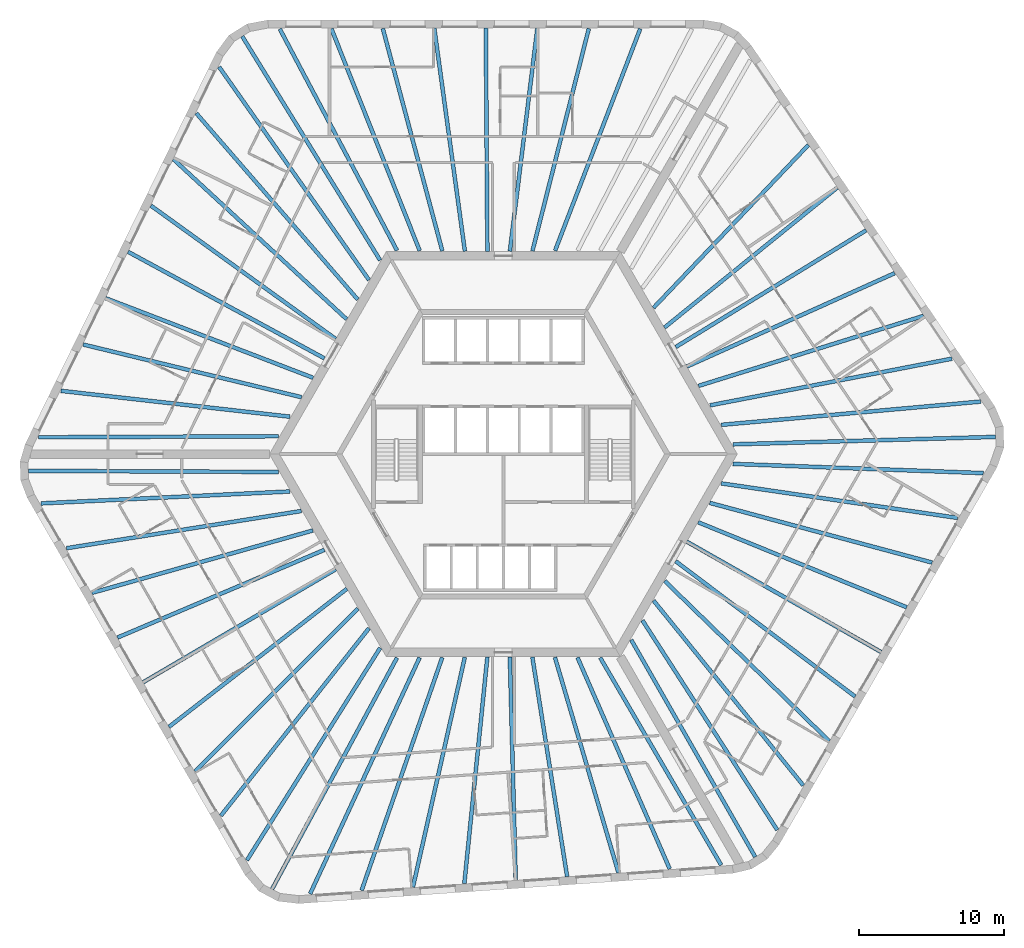
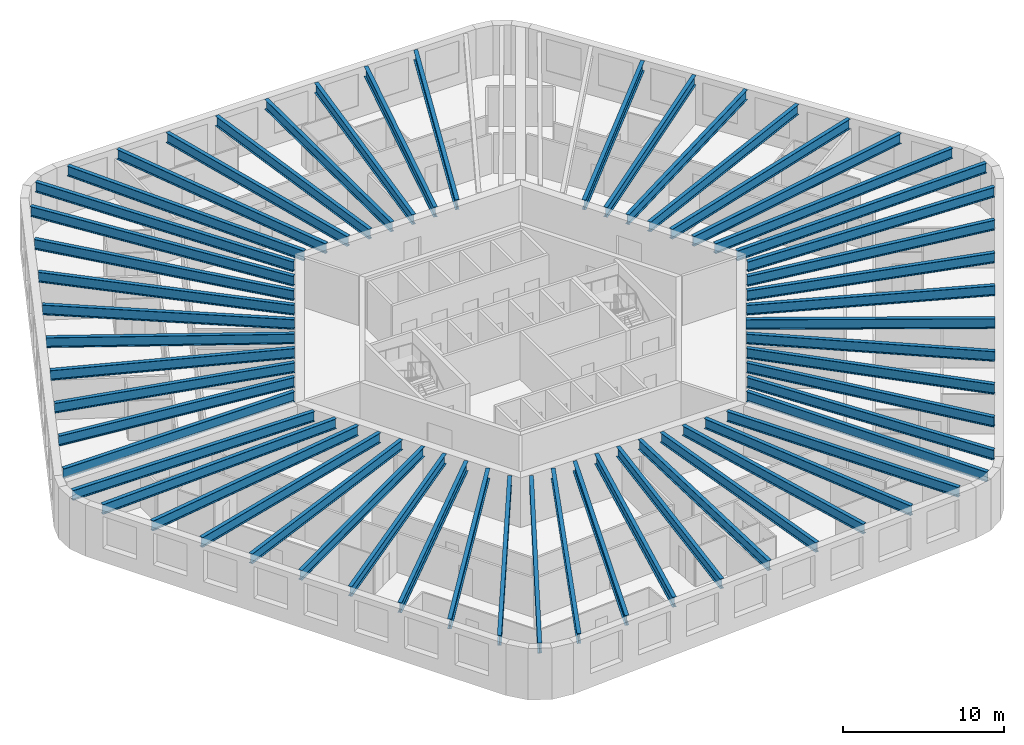
# One storey, part 1 of 12: 56 beams.
"""IFC4 building model written with IfcOpenShell, lengths in metres."""

from ifc_helpers import new_model, si_unit, direction, frame, origin, origin_2d, place, context, subcontext, project, spatial, i_section, extrude, material, material_profile, profile_set, type_object, element, save


model = new_model("IFC4")

# Units and contexts
model_context = context("Model", 3, precision=1e-05, world=origin(), true_north=direction((0.0, 1.0)))
body_context = subcontext(model_context, "Body", "Model", "MODEL_VIEW")
ifc_project = project(units=[si_unit("LENGTHUNIT", "METRE"), si_unit("AREAUNIT", "SQUARE_METRE"), si_unit("VOLUMEUNIT", "CUBIC_METRE"), si_unit("PLANEANGLEUNIT", "RADIAN"), si_unit("MASSUNIT", "GRAM", prefix="KILO")], contexts=[model_context])

# Site, building, storey
site_placement = place(None, origin())
site = spatial("IfcSite", under=ifc_project, at=site_placement, CompositionType="ELEMENT")
building_placement = place(site_placement, origin())
building = spatial("IfcBuilding", under=site, at=building_placement, Name="Tarnside Tower", CompositionType="ELEMENT")
storey_placement = place(building_placement, frame((0.0, 0.0, 64.800048828125)))
storey = spatial("IfcBuildingStorey", under=building, at=storey_placement, Name="L13", CompositionType="ELEMENT", Elevation=64.800048828125)

# Beams
ifc_material = material(Name="Steel S355", Category="steel")
ifc_material_profile_1 = material_profile(ifc_material, i_section(OverallWidth=0.26513671875, OverallDepth=0.75390625, WebThickness=0.0126953125, FlangeThickness=0.017578125, FilletRadius=0.0166015625, at=origin_2d()), Name="UB 762x267x147")
ifc_profile_set_1 = profile_set([ifc_material_profile_1], Name="Steel S355")
beam_type_1 = type_object("IfcBeamType", Name="Floor beam UB 762x267x147", PredefinedType="BEAM", material=ifc_profile_set_1)
beam_1_placement = place(storey_placement, frame((2.3525390625, 29.43017578125, 3.373046875), z_axis=(-0.122329629165, -0.992489527314, 0.0), x_axis=(0.992489527314, -0.122329629165, 0.0)))
element("IfcBeam", 1, at=beam_1_placement, inside=storey, type_object=beam_type_1, Name="Floor beam F1.04", PredefinedType="BEAM", context=body_context, shape_type="SweptSolid", body=[
    extrude(i_section(OverallWidth=0.26513671875, OverallDepth=0.75390625, WebThickness=0.0126953125, FlangeThickness=0.017578125, FilletRadius=0.0166015625, at=origin_2d()), origin(), (0.0, 0.0, 1.0), 15.527099609375),
])
beam_2_placement = place(storey_placement, frame((-1.208984375, 29.449951171875, 3.373046875), z_axis=(0.007000128723, -0.999975498799, 0.0), x_axis=(0.999975498799, 0.007000128723, 0.0)))
element("IfcBeam", 2, at=beam_2_placement, inside=storey, type_object=beam_type_1, Name="Floor beam F1.05", PredefinedType="BEAM", context=body_context, shape_type="SweptSolid", body=[
    extrude(i_section(OverallWidth=0.26513671875, OverallDepth=0.75390625, WebThickness=0.0126953125, FlangeThickness=0.017578125, FilletRadius=0.0166015625, at=origin_2d()), origin(), (0.0, 0.0, 1.0), 15.450439453125),
])
beam_3_placement = place(storey_placement, frame((-4.7705078125, 29.43017578125, 3.373046875), z_axis=(0.136000560933, -0.990708760144, 0.0), x_axis=(0.990708760144, 0.136000560933, 0.0)))
element("IfcBeam", 3, at=beam_3_placement, inside=storey, type_object=beam_type_1, Name="Floor beam F1.06", PredefinedType="BEAM", context=body_context, shape_type="SweptSolid", body=[
    extrude(i_section(OverallWidth=0.26513671875, OverallDepth=0.75390625, WebThickness=0.0126953125, FlangeThickness=0.017578125, FilletRadius=0.0166015625, at=origin_2d()), origin(), (0.0, 0.0, 1.0), 15.554931640625),
])
beam_4_placement = place(storey_placement, frame((-24.348876953125, 17.168212890625, 3.373046875), z_axis=(0.811027744825, -0.585007689799, 0.0), x_axis=(0.585007689799, 0.811027744825, 0.0)))
element("IfcBeam", 4, at=beam_4_placement, inside=storey, type_object=beam_type_1, Name="Floor beam F2.04", PredefinedType="BEAM", context=body_context, shape_type="SweptSolid", body=[
    extrude(i_section(OverallWidth=0.26513671875, OverallDepth=0.75390625, WebThickness=0.0126953125, FlangeThickness=0.017578125, FilletRadius=0.0166015625, at=origin_2d()), origin(), (0.0, 0.0, 1.0), 15.731689453125),
])
beam_5_placement = place(storey_placement, frame((-25.92626953125, 13.978271484375, 3.373046875), z_axis=(0.878894567679, -0.477016078245, 0.0), x_axis=(0.477016078245, 0.878894567679, 0.0)))
element("IfcBeam", 5, at=beam_5_placement, inside=storey, type_object=beam_type_1, Name="Floor beam F2.05", PredefinedType="BEAM", context=body_context, shape_type="SweptSolid", body=[
    extrude(i_section(OverallWidth=0.26513671875, OverallDepth=0.75390625, WebThickness=0.0126953125, FlangeThickness=0.017578125, FilletRadius=0.0166015625, at=origin_2d()), origin(), (0.0, 0.0, 1.0), 15.427490234375),
])
beam_6_placement = place(storey_placement, frame((-27.487548828125, 10.77734375, 3.373046875), z_axis=(0.933617702452, -0.358270827264, 0.0), x_axis=(0.358270827264, 0.933617702452, 0.0)))
element("IfcBeam", 6, at=beam_6_placement, inside=storey, type_object=beam_type_1, Name="Floor beam F2.06", PredefinedType="BEAM", context=body_context, shape_type="SweptSolid", body=[
    extrude(i_section(OverallWidth=0.26513671875, OverallDepth=0.75390625, WebThickness=0.0126953125, FlangeThickness=0.017578125, FilletRadius=0.0166015625, at=origin_2d()), origin(), (0.0, 0.0, 1.0), 15.363037109375),
])
beam_7_placement = place(storey_placement, frame((-29.029296875, 7.572509765625, 3.373046875), z_axis=(0.972101750991, -0.234559556873, 0.0), x_axis=(0.234559556873, 0.972101750991, 0.0)))
element("IfcBeam", 7, at=beam_7_placement, inside=storey, type_object=beam_type_1, Name="Floor beam F2.07", PredefinedType="BEAM", context=body_context, shape_type="SweptSolid", body=[
    extrude(i_section(OverallWidth=0.26513671875, OverallDepth=0.75390625, WebThickness=0.0126953125, FlangeThickness=0.017578125, FilletRadius=0.0166015625, at=origin_2d()), origin(), (0.0, 0.0, 1.0), 15.522216796875),
])
beam_8_placement = place(storey_placement, frame((-26.66357421875, -12.677734375, 3.373046875), z_axis=(0.920684021494, 0.390308765679, 0.0), x_axis=(-0.390308765679, 0.920684021494, 0.0)))
element("IfcBeam", 8, at=beam_8_placement, inside=storey, type_object=beam_type_1, Name="Floor beam F3.04", PredefinedType="BEAM", context=body_context, shape_type="SweptSolid", body=[
    extrude(i_section(OverallWidth=0.26513671875, OverallDepth=0.75390625, WebThickness=0.0126953125, FlangeThickness=0.017578125, FilletRadius=0.0166015625, at=origin_2d()), origin(), (0.0, 0.0, 1.0), 15.52685546875),
])
beam_9_placement = place(storey_placement, frame((-24.89990234375, -15.772216796875, 3.373046875), z_axis=(0.862497502004, 0.506061319443, 0.0), x_axis=(-0.506061319443, 0.862497502004, 0.0)))
element("IfcBeam", 9, at=beam_9_placement, inside=storey, type_object=beam_type_1, Name="Floor beam F3.05", PredefinedType="BEAM", context=body_context, shape_type="SweptSolid", body=[
    extrude(i_section(OverallWidth=0.26513671875, OverallDepth=0.75390625, WebThickness=0.0126953125, FlangeThickness=0.017578125, FilletRadius=0.0166015625, at=origin_2d()), origin(), (0.0, 0.0, 1.0), 15.450439453125),
])
beam_10_placement = place(storey_placement, frame((-23.10205078125, -18.846435546875, 3.373046875), z_axis=(0.789983963813, 0.613127504617, 0.0), x_axis=(-0.613127504617, 0.789983963813, 0.0)))
element("IfcBeam", 10, at=beam_10_placement, inside=storey, type_object=beam_type_1, Name="Floor beam F3.06", PredefinedType="BEAM", context=body_context, shape_type="SweptSolid", body=[
    extrude(i_section(OverallWidth=0.26513671875, OverallDepth=0.75390625, WebThickness=0.0126953125, FlangeThickness=0.017578125, FilletRadius=0.0166015625, at=origin_2d()), origin(), (0.0, 0.0, 1.0), 15.554931640625),
])
beam_11_placement = place(storey_placement, frame((-2.693603515625, -29.6708984375, 3.373046875), z_axis=(0.101123115756, 0.994873919379, 0.0), x_axis=(-0.994873919379, 0.101123115756, 0.0)))
element("IfcBeam", 11, at=beam_11_placement, inside=storey, type_object=beam_type_1, Name="Floor beam F4.04", PredefinedType="BEAM", context=body_context, shape_type="SweptSolid", body=[
    extrude(i_section(OverallWidth=0.26513671875, OverallDepth=0.75390625, WebThickness=0.0126953125, FlangeThickness=0.017578125, FilletRadius=0.0166015625, at=origin_2d()), origin(), (0.0, 0.0, 1.0), 15.7314453125),
])
beam_12_placement = place(storey_placement, frame((0.857666015625, -29.44189453125, 3.373046875), z_axis=(-0.026333316788, 0.999653218085, 0.0), x_axis=(-0.999653218085, -0.026333316788, 0.0)))
element("IfcBeam", 12, at=beam_12_placement, inside=storey, type_object=beam_type_1, Name="Floor beam F4.05", PredefinedType="BEAM", context=body_context, shape_type="SweptSolid", body=[
    extrude(i_section(OverallWidth=0.26513671875, OverallDepth=0.75390625, WebThickness=0.0126953125, FlangeThickness=0.017578125, FilletRadius=0.0166015625, at=origin_2d()), origin(), (0.0, 0.0, 1.0), 15.42724609375),
])
beam_13_placement = place(storey_placement, frame((4.41015625, -29.193603515625, 3.373046875), z_axis=(-0.156513375907, 0.98767583911, 0.0), x_axis=(-0.98767583911, -0.156513375907, 0.0)))
element("IfcBeam", 13, at=beam_13_placement, inside=storey, type_object=beam_type_1, Name="Floor beam F4.06", PredefinedType="BEAM", context=body_context, shape_type="SweptSolid", body=[
    extrude(i_section(OverallWidth=0.26513671875, OverallDepth=0.75390625, WebThickness=0.0126953125, FlangeThickness=0.017578125, FilletRadius=0.0166015625, at=origin_2d()), origin(), (0.0, 0.0, 1.0), 15.36328125),
])
beam_14_placement = place(storey_placement, frame((7.956787109375, -28.926513671875, 3.373046875), z_axis=(-0.282920694328, 0.959143305623, 0.0), x_axis=(-0.959143305623, -0.282920694328, 0.0)))
element("IfcBeam", 14, at=beam_14_placement, inside=storey, type_object=beam_type_1, Name="Floor beam F4.07", PredefinedType="BEAM", context=body_context, shape_type="SweptSolid", body=[
    extrude(i_section(OverallWidth=0.26513671875, OverallDepth=0.75390625, WebThickness=0.0126953125, FlangeThickness=0.017578125, FilletRadius=0.0166015625, at=origin_2d()), origin(), (0.0, 0.0, 1.0), 15.5224609375),
])
beam_15_placement = place(storey_placement, frame((24.31103515625, -16.75244140625, 3.373046875), z_axis=(-0.798361152727, 0.602178935049, 0.0), x_axis=(-0.602178935049, -0.798361152727, 0.0)))
element("IfcBeam", 15, at=beam_15_placement, inside=storey, type_object=beam_type_1, Name="Floor beam F5.04", PredefinedType="BEAM", context=body_context, shape_type="SweptSolid", body=[
    extrude(i_section(OverallWidth=0.26513671875, OverallDepth=0.75390625, WebThickness=0.0126953125, FlangeThickness=0.017578125, FilletRadius=0.0166015625, at=origin_2d()), origin(), (0.0, 0.0, 1.0), 15.527099609375),
])
beam_16_placement = place(storey_placement, frame((26.10888671875, -13.677978515625, 3.373046875), z_axis=(-0.869502520992, 0.493928502911, 0.0), x_axis=(-0.493928502911, -0.869502520992, 0.0)))
element("IfcBeam", 16, at=beam_16_placement, inside=storey, type_object=beam_type_1, Name="Floor beam F5.05", PredefinedType="BEAM", context=body_context, shape_type="SweptSolid", body=[
    extrude(i_section(OverallWidth=0.26513671875, OverallDepth=0.75390625, WebThickness=0.0126953125, FlangeThickness=0.017578125, FilletRadius=0.0166015625, at=origin_2d()), origin(), (0.0, 0.0, 1.0), 15.4501953125),
])
beam_17_placement = place(storey_placement, frame((27.87255859375, -10.58349609375, 3.373046875), z_axis=(-0.925981621163, 0.377568586177, 0.0), x_axis=(-0.377568586177, -0.925981621163, 0.0)))
element("IfcBeam", 17, at=beam_17_placement, inside=storey, type_object=beam_type_1, Name="Floor beam F5.06", PredefinedType="BEAM", context=body_context, shape_type="SweptSolid", body=[
    extrude(i_section(OverallWidth=0.26513671875, OverallDepth=0.75390625, WebThickness=0.0126953125, FlangeThickness=0.017578125, FilletRadius=0.0166015625, at=origin_2d()), origin(), (0.0, 0.0, 1.0), 15.554931640625),
])
beam_18_placement = place(storey_placement, frame((27.04248046875, 12.502685546875, 3.373046875), z_axis=(-0.912146413919, -0.409864513681, 0.0), x_axis=(0.409864513681, -0.912146413919, 0.0)))
element("IfcBeam", 18, at=beam_18_placement, inside=storey, type_object=beam_type_1, Name="Floor beam F6.04", PredefinedType="BEAM", context=body_context, shape_type="SweptSolid", body=[
    extrude(i_section(OverallWidth=0.26513671875, OverallDepth=0.75390625, WebThickness=0.0126953125, FlangeThickness=0.017578125, FilletRadius=0.0166015625, at=origin_2d()), origin(), (0.0, 0.0, 1.0), 15.7314453125),
])
beam_19_placement = place(storey_placement, frame((25.068603515625, 15.463623046875, 3.373046875), z_axis=(-0.852558490017, -0.522631821744, 0.0), x_axis=(0.522631821744, -0.852558490017, 0.0)))
element("IfcBeam", 19, at=beam_19_placement, inside=storey, type_object=beam_type_1, Name="Floor beam F6.05", PredefinedType="BEAM", context=body_context, shape_type="SweptSolid", body=[
    extrude(i_section(OverallWidth=0.26513671875, OverallDepth=0.75390625, WebThickness=0.0126953125, FlangeThickness=0.017578125, FilletRadius=0.0166015625, at=origin_2d()), origin(), (0.0, 0.0, 1.0), 15.42724609375),
])
beam_20_placement = place(storey_placement, frame((23.0771484375, 18.416259765625, 3.373046875), z_axis=(-0.777079423039, -0.629402550272, 0.0), x_axis=(0.629402550272, -0.777079423039, 0.0)))
element("IfcBeam", 20, at=beam_20_placement, inside=storey, type_object=beam_type_1, Name="Floor beam F6.06", PredefinedType="BEAM", context=body_context, shape_type="SweptSolid", body=[
    extrude(i_section(OverallWidth=0.26513671875, OverallDepth=0.75390625, WebThickness=0.0126953125, FlangeThickness=0.017578125, FilletRadius=0.0166015625, at=origin_2d()), origin(), (0.0, 0.0, 1.0), 15.36328125),
])
beam_21_placement = place(storey_placement, frame((21.072509765625, 21.35400390625, 3.373046875), z_axis=(-0.689174694318, -0.724595225427, 0.0), x_axis=(0.724595225427, -0.689174694318, 0.0)))
element("IfcBeam", 21, at=beam_21_placement, inside=storey, type_object=beam_type_1, Name="Floor beam F6.07", PredefinedType="BEAM", context=body_context, shape_type="SweptSolid", body=[
    extrude(i_section(OverallWidth=0.26513671875, OverallDepth=0.75390625, WebThickness=0.0126953125, FlangeThickness=0.017578125, FilletRadius=0.0166015625, at=origin_2d()), origin(), (0.0, 0.0, 1.0), 15.522216796875),
])
ifc_material_profile_2 = material_profile(ifc_material, i_section(OverallWidth=0.2666015625, OverallDepth=0.76220703125, WebThickness=0.014404296875, FlangeThickness=0.021484375, FilletRadius=0.0166015625, at=origin_2d()), Name="UB 762x267x173")
ifc_profile_set_2 = profile_set([ifc_material_profile_2], Name="Steel S355")
beam_type_2 = type_object("IfcBeamType", Name="Floor beam UB 762x267x173", PredefinedType="BEAM", material=ifc_profile_set_2)
beam_22_placement = place(storey_placement, frame((9.4619140625, 29.39404296875, 3.368896484375), z_axis=(-0.358299847269, -0.933606565662, 0.0), x_axis=(0.933606565662, -0.358299847269, 0.0)))
element("IfcBeam", 22, at=beam_22_placement, inside=storey, type_object=beam_type_2, Name="Floor beam F1.02", PredefinedType="BEAM", context=body_context, shape_type="SweptSolid", body=[
    extrude(i_section(OverallWidth=0.2666015625, OverallDepth=0.76220703125, WebThickness=0.014404296875, FlangeThickness=0.021484375, FilletRadius=0.0166015625, at=origin_2d()), origin(), (0.0, 0.0, 1.0), 16.428955078125),
])
beam_23_placement = place(storey_placement, frame((5.909423828125, 29.4111328125, 3.368896484375), z_axis=(-0.245747281389, -0.969333933013, 0.0), x_axis=(0.969333933013, -0.245747281389, 0.0)))
element("IfcBeam", 23, at=beam_23_placement, inside=storey, type_object=beam_type_2, Name="Floor beam F1.03", PredefinedType="BEAM", context=body_context, shape_type="SweptSolid", body=[
    extrude(i_section(OverallWidth=0.2666015625, OverallDepth=0.76220703125, WebThickness=0.014404296875, FlangeThickness=0.021484375, FilletRadius=0.0166015625, at=origin_2d()), origin(), (0.0, 0.0, 1.0), 15.858642578125),
])
beam_24_placement = place(storey_placement, frame((-8.3271484375, 29.411376953125, 3.368896484375), z_axis=(0.258447478572, -0.966025310652, 0.0), x_axis=(0.966025310652, 0.258447478572, 0.0)))
element("IfcBeam", 24, at=beam_24_placement, inside=storey, type_object=beam_type_2, Name="Floor beam F1.07", PredefinedType="BEAM", context=body_context, shape_type="SweptSolid", body=[
    extrude(i_section(OverallWidth=0.2666015625, OverallDepth=0.76220703125, WebThickness=0.014404296875, FlangeThickness=0.021484375, FilletRadius=0.0166015625, at=origin_2d()), origin(), (0.0, 0.0, 1.0), 15.91357421875),
])
beam_25_placement = place(storey_placement, frame((-11.87939453125, 29.394287109375, 3.368896484375), z_axis=(0.369638204477, -0.929175762593, 0.0), x_axis=(0.929175762593, 0.369638204477, 0.0)))
element("IfcBeam", 25, at=beam_25_placement, inside=storey, type_object=beam_type_2, Name="Floor beam F1.08", PredefinedType="BEAM", context=body_context, shape_type="SweptSolid", body=[
    extrude(i_section(OverallWidth=0.2666015625, OverallDepth=0.76220703125, WebThickness=0.014404296875, FlangeThickness=0.021484375, FilletRadius=0.0166015625, at=origin_2d()), origin(), (0.0, 0.0, 1.0), 16.507568359375),
])
beam_26_placement = place(storey_placement, frame((-15.44580078125, 29.37939453125, 3.368896484375), z_axis=(0.467741993634, -0.883865050441, 0.0), x_axis=(0.883865050441, 0.467741993634, 0.0)))
element("IfcBeam", 26, at=beam_26_placement, inside=storey, type_object=beam_type_2, Name="Floor beam F1.09", PredefinedType="BEAM", context=body_context, shape_type="SweptSolid", body=[
    extrude(i_section(OverallWidth=0.2666015625, OverallDepth=0.76220703125, WebThickness=0.014404296875, FlangeThickness=0.021484375, FilletRadius=0.0166015625, at=origin_2d()), origin(), (0.0, 0.0, 1.0), 17.320068359375),
])
beam_27_placement = place(storey_placement, frame((-18.042236328125, 28.8701171875, 3.368896484375), z_axis=(0.524382977035, -0.851482526771, 0.0), x_axis=(0.851482526771, 0.524382977035, 0.0)))
element("IfcBeam", 27, at=beam_27_placement, inside=storey, type_object=beam_type_2, Name="Floor beam C1", PredefinedType="BEAM", context=body_context, shape_type="SweptSolid", body=[
    extrude(i_section(OverallWidth=0.2666015625, OverallDepth=0.76220703125, WebThickness=0.014404296875, FlangeThickness=0.021484375, FilletRadius=0.0166015625, at=origin_2d()), origin(), (0.0, 0.0, 1.0), 18.1728515625),
])
beam_28_placement = place(storey_placement, frame((-19.638671875, 26.75537109375, 3.368896484375), z_axis=(0.575411427849, -0.817864101609, 0.0), x_axis=(0.817864101609, 0.575411427849, 0.0)))
element("IfcBeam", 28, at=beam_28_placement, inside=storey, type_object=beam_type_2, Name="Floor beam F2.01", PredefinedType="BEAM", context=body_context, shape_type="SweptSolid", body=[
    extrude(i_section(OverallWidth=0.2666015625, OverallDepth=0.76220703125, WebThickness=0.014404296875, FlangeThickness=0.021484375, FilletRadius=0.0166015625, at=origin_2d()), origin(), (0.0, 0.0, 1.0), 18.00048828125),
])
beam_29_placement = place(storey_placement, frame((-21.21630859375, 23.554931640625, 3.368896484375), z_axis=(0.654980748073, -0.755645564834, 0.0), x_axis=(0.755645564834, 0.654980748073, 0.0)))
element("IfcBeam", 29, at=beam_29_placement, inside=storey, type_object=beam_type_2, Name="Floor beam F2.02", PredefinedType="BEAM", context=body_context, shape_type="SweptSolid", body=[
    extrude(i_section(OverallWidth=0.2666015625, OverallDepth=0.76220703125, WebThickness=0.014404296875, FlangeThickness=0.021484375, FilletRadius=0.0166015625, at=origin_2d()), origin(), (0.0, 0.0, 1.0), 17.0302734375),
])
beam_30_placement = place(storey_placement, frame((-22.7890625, 20.368408203125, 3.368896484375), z_axis=(0.734715474517, -0.678375391288, 0.0), x_axis=(0.678375391288, 0.734715474517, 0.0)))
element("IfcBeam", 30, at=beam_30_placement, inside=storey, type_object=beam_type_2, Name="Floor beam F2.03", PredefinedType="BEAM", context=body_context, shape_type="SweptSolid", body=[
    extrude(i_section(OverallWidth=0.2666015625, OverallDepth=0.76220703125, WebThickness=0.014404296875, FlangeThickness=0.021484375, FilletRadius=0.0166015625, at=origin_2d()), origin(), (0.0, 0.0, 1.0), 16.2802734375),
])
beam_31_placement = place(storey_placement, frame((-30.570556640625, 4.372802734375, 3.368896484375), z_axis=(0.993687302776, -0.112185312326, 0.0), x_axis=(0.112185312326, 0.993687302776, 0.0)))
element("IfcBeam", 31, at=beam_31_placement, inside=storey, type_object=beam_type_2, Name="Floor beam F2.08", PredefinedType="BEAM", context=body_context, shape_type="SweptSolid", body=[
    extrude(i_section(OverallWidth=0.2666015625, OverallDepth=0.76220703125, WebThickness=0.014404296875, FlangeThickness=0.021484375, FilletRadius=0.0166015625, at=origin_2d()), origin(), (0.0, 0.0, 1.0), 15.934326171875),
])
beam_32_placement = place(storey_placement, frame((-32.119384765625, 1.162109375, 3.368896484375), z_axis=(0.999990508787, 0.004356872304, 0.0), x_axis=(-0.004356872304, 0.999990508787, 0.0)))
element("IfcBeam", 32, at=beam_32_placement, inside=storey, type_object=beam_type_2, Name="Floor beam F2.09", PredefinedType="BEAM", context=body_context, shape_type="SweptSolid", body=[
    extrude(i_section(OverallWidth=0.2666015625, OverallDepth=0.76220703125, WebThickness=0.014404296875, FlangeThickness=0.021484375, FilletRadius=0.0166015625, at=origin_2d()), origin(), (0.0, 0.0, 1.0), 16.586669921875),
])
beam_33_placement = place(storey_placement, frame((-32.80712890625, -1.1572265625, 3.368896484375), z_axis=(0.999990027056, -0.004466070929, 0.0), x_axis=(0.004466070929, 0.999990027056, 0.0)))
element("IfcBeam", 33, at=beam_33_placement, inside=storey, type_object=beam_type_2, Name="Floor beam C2", PredefinedType="BEAM", context=body_context, shape_type="SweptSolid", body=[
    extrude(i_section(OverallWidth=0.2666015625, OverallDepth=0.76220703125, WebThickness=0.014404296875, FlangeThickness=0.021484375, FilletRadius=0.0166015625, at=origin_2d()), origin(), (0.0, 0.0, 1.0), 17.2744140625),
])
beam_34_placement = place(storey_placement, frame((-31.95703125, -3.406494140625, 3.368896484375), z_axis=(0.998853818522, 0.047864905982, 0.0), x_axis=(-0.047864905982, 0.998853818522, 0.0)))
element("IfcBeam", 34, at=beam_34_placement, inside=storey, type_object=beam_type_2, Name="Floor beam F3.01", PredefinedType="BEAM", context=body_context, shape_type="SweptSolid", body=[
    extrude(i_section(OverallWidth=0.2666015625, OverallDepth=0.76220703125, WebThickness=0.014404296875, FlangeThickness=0.021484375, FilletRadius=0.0166015625, at=origin_2d()), origin(), (0.0, 0.0, 1.0), 17.2197265625),
])
beam_35_placement = place(storey_placement, frame((-30.18701171875, -6.502685546875, 3.368896484375), z_axis=(0.987678477078, 0.156496728136, 0.0), x_axis=(-0.156496728136, 0.987678477078, 0.0)))
element("IfcBeam", 35, at=beam_35_placement, inside=storey, type_object=beam_type_2, Name="Floor beam F3.02", PredefinedType="BEAM", context=body_context, shape_type="SweptSolid", body=[
    extrude(i_section(OverallWidth=0.2666015625, OverallDepth=0.76220703125, WebThickness=0.014404296875, FlangeThickness=0.021484375, FilletRadius=0.0166015625, at=origin_2d()), origin(), (0.0, 0.0, 1.0), 16.4287109375),
])
beam_36_placement = place(storey_placement, frame((-28.425537109375, -9.587890625, 3.368896484375), z_axis=(0.962342240503, 0.271840784547, 0.0), x_axis=(-0.271840784547, 0.962342240503, 0.0)))
element("IfcBeam", 36, at=beam_36_placement, inside=storey, type_object=beam_type_2, Name="Floor beam F3.03", PredefinedType="BEAM", context=body_context, shape_type="SweptSolid", body=[
    extrude(i_section(OverallWidth=0.2666015625, OverallDepth=0.76220703125, WebThickness=0.014404296875, FlangeThickness=0.021484375, FilletRadius=0.0166015625, at=origin_2d()), origin(), (0.0, 0.0, 1.0), 15.858642578125),
])
beam_37_placement = place(storey_placement, frame((-21.307373046875, -21.917236328125, 3.368896484375), z_axis=(0.707367544857, 0.706845921318, 0.0), x_axis=(-0.706845921318, 0.707367544857, 0.0)))
element("IfcBeam", 37, at=beam_37_placement, inside=storey, type_object=beam_type_2, Name="Floor beam F3.07", PredefinedType="BEAM", context=body_context, shape_type="SweptSolid", body=[
    extrude(i_section(OverallWidth=0.2666015625, OverallDepth=0.76220703125, WebThickness=0.014404296875, FlangeThickness=0.021484375, FilletRadius=0.0166015625, at=origin_2d()), origin(), (0.0, 0.0, 1.0), 15.913330078125),
])
beam_38_placement = place(storey_placement, frame((-19.516357421875, -24.985107421875, 3.368896484375), z_axis=(0.619872995007, 0.784702153725, 0.0), x_axis=(-0.784702153725, 0.619872995007, 0.0)))
element("IfcBeam", 38, at=beam_38_placement, inside=storey, type_object=beam_type_2, Name="Floor beam F3.08", PredefinedType="BEAM", context=body_context, shape_type="SweptSolid", body=[
    extrude(i_section(OverallWidth=0.2666015625, OverallDepth=0.76220703125, WebThickness=0.014404296875, FlangeThickness=0.021484375, FilletRadius=0.0166015625, at=origin_2d()), origin(), (0.0, 0.0, 1.0), 16.507568359375),
])
beam_39_placement = place(storey_placement, frame((-17.72021484375, -28.066162109375, 3.368896484375), z_axis=(0.531583085704, 0.847006152866, 0.0), x_axis=(-0.847006152866, 0.531583085704, 0.0)))
element("IfcBeam", 39, at=beam_39_placement, inside=storey, type_object=beam_type_2, Name="Floor beam F3.09", PredefinedType="BEAM", context=body_context, shape_type="SweptSolid", body=[
    extrude(i_section(OverallWidth=0.2666015625, OverallDepth=0.76220703125, WebThickness=0.014404296875, FlangeThickness=0.021484375, FilletRadius=0.0166015625, at=origin_2d()), origin(), (0.0, 0.0, 1.0), 17.320068359375),
])
beam_40_placement = place(storey_placement, frame((-15.981201171875, -30.060302734375, 3.368896484375), z_axis=(0.475208200571, 0.879873380726, 0.0), x_axis=(-0.879873380726, 0.475208200571, 0.0)))
element("IfcBeam", 40, at=beam_40_placement, inside=storey, type_object=beam_type_2, Name="Floor beam C3", PredefinedType="BEAM", context=body_context, shape_type="SweptSolid", body=[
    extrude(i_section(OverallWidth=0.2666015625, OverallDepth=0.76220703125, WebThickness=0.014404296875, FlangeThickness=0.021484375, FilletRadius=0.0166015625, at=origin_2d()), origin(), (0.0, 0.0, 1.0), 18.173095703125),
])
beam_41_placement = place(storey_placement, frame((-13.3515625, -30.38525390625, 3.368896484375), z_axis=(0.42059199668, 0.907249895193, 0.0), x_axis=(-0.907249895193, 0.42059199668, 0.0)))
element("IfcBeam", 41, at=beam_41_placement, inside=storey, type_object=beam_type_2, Name="Floor beam F4.01", PredefinedType="BEAM", context=body_context, shape_type="SweptSolid", body=[
    extrude(i_section(OverallWidth=0.2666015625, OverallDepth=0.76220703125, WebThickness=0.014404296875, FlangeThickness=0.021484375, FilletRadius=0.0166015625, at=origin_2d()), origin(), (0.0, 0.0, 1.0), 18.000244140625),
])
beam_42_placement = place(storey_placement, frame((-9.791015625, -30.151123046875, 3.368896484375), z_axis=(0.326912128872, 0.945054739153, 0.0), x_axis=(-0.945054739153, 0.326912128872, 0.0)))
element("IfcBeam", 42, at=beam_42_placement, inside=storey, type_object=beam_type_2, Name="Floor beam F4.02", PredefinedType="BEAM", context=body_context, shape_type="SweptSolid", body=[
    extrude(i_section(OverallWidth=0.2666015625, OverallDepth=0.76220703125, WebThickness=0.014404296875, FlangeThickness=0.021484375, FilletRadius=0.0166015625, at=origin_2d()), origin(), (0.0, 0.0, 1.0), 17.0302734375),
])
beam_43_placement = place(storey_placement, frame((-6.2451171875, -29.920166015625, 3.368896484375), z_axis=(0.220139818673, 0.975468328668, 0.0), x_axis=(-0.975468328668, 0.220139818673, 0.0)))
element("IfcBeam", 43, at=beam_43_placement, inside=storey, type_object=beam_type_2, Name="Floor beam F4.03", PredefinedType="BEAM", context=body_context, shape_type="SweptSolid", body=[
    extrude(i_section(OverallWidth=0.2666015625, OverallDepth=0.76220703125, WebThickness=0.014404296875, FlangeThickness=0.021484375, FilletRadius=0.0166015625, at=origin_2d()), origin(), (0.0, 0.0, 1.0), 16.280517578125),
])
beam_44_placement = place(storey_placement, frame((11.498291015625, -28.6611328125, 3.368896484375), z_axis=(-0.399695682658, 0.916647893831, 0.0), x_axis=(-0.916647893831, -0.399695682658, 0.0)))
element("IfcBeam", 44, at=beam_44_placement, inside=storey, type_object=beam_type_2, Name="Floor beam F4.08", PredefinedType="BEAM", context=body_context, shape_type="SweptSolid", body=[
    extrude(i_section(OverallWidth=0.2666015625, OverallDepth=0.76220703125, WebThickness=0.014404296875, FlangeThickness=0.021484375, FilletRadius=0.0166015625, at=origin_2d()), origin(), (0.0, 0.0, 1.0), 15.934326171875),
])
beam_45_placement = place(storey_placement, frame((15.05322265625, -28.3974609375, 3.368896484375), z_axis=(-0.503758455062, 0.86384455717, 0.0), x_axis=(-0.86384455717, -0.503758455062, 0.0)))
element("IfcBeam", 45, at=beam_45_placement, inside=storey, type_object=beam_type_2, Name="Floor beam F4.09", PredefinedType="BEAM", context=body_context, shape_type="SweptSolid", body=[
    extrude(i_section(OverallWidth=0.2666015625, OverallDepth=0.76220703125, WebThickness=0.014404296875, FlangeThickness=0.021484375, FilletRadius=0.0166015625, at=origin_2d()), origin(), (0.0, 0.0, 1.0), 16.586669921875),
])
beam_46_placement = place(storey_placement, frame((17.40576171875, -27.833251953125, 3.368896484375), z_axis=(-0.496126762138, 0.868250099851, 0.0), x_axis=(-0.868250099851, -0.496126762138, 0.0)))
element("IfcBeam", 46, at=beam_46_placement, inside=storey, type_object=beam_type_2, Name="Floor beam C4", PredefinedType="BEAM", context=body_context, shape_type="SweptSolid", body=[
    extrude(i_section(OverallWidth=0.2666015625, OverallDepth=0.76220703125, WebThickness=0.014404296875, FlangeThickness=0.021484375, FilletRadius=0.0166015625, at=origin_2d()), origin(), (0.0, 0.0, 1.0), 17.2744140625),
])
beam_47_placement = place(storey_placement, frame((18.9287109375, -25.972412109375, 3.368896484375), z_axis=(-0.540872954463, 0.841104302171, 0.0), x_axis=(-0.841104302171, -0.540872954463, 0.0)))
element("IfcBeam", 47, at=beam_47_placement, inside=storey, type_object=beam_type_2, Name="Floor beam F5.01", PredefinedType="BEAM", context=body_context, shape_type="SweptSolid", body=[
    extrude(i_section(OverallWidth=0.2666015625, OverallDepth=0.76220703125, WebThickness=0.014404296875, FlangeThickness=0.021484375, FilletRadius=0.0166015625, at=origin_2d()), origin(), (0.0, 0.0, 1.0), 17.2197265625),
])
beam_48_placement = place(storey_placement, frame((20.72509765625, -22.89111328125, 3.368896484375), z_axis=(-0.62939015525, 0.777089462336, 0.0), x_axis=(-0.777089462336, -0.62939015525, 0.0)))
element("IfcBeam", 48, at=beam_48_placement, inside=storey, type_object=beam_type_2, Name="Floor beam F5.02", PredefinedType="BEAM", context=body_context, shape_type="SweptSolid", body=[
    extrude(i_section(OverallWidth=0.2666015625, OverallDepth=0.76220703125, WebThickness=0.014404296875, FlangeThickness=0.021484375, FilletRadius=0.0166015625, at=origin_2d()), origin(), (0.0, 0.0, 1.0), 16.4287109375),
])
beam_49_placement = place(storey_placement, frame((22.51611328125, -19.8232421875, 3.368896484375), z_axis=(-0.716594696052, 0.697489814686, 0.0), x_axis=(-0.697489814686, -0.716594696052, 0.0)))
element("IfcBeam", 49, at=beam_49_placement, inside=storey, type_object=beam_type_2, Name="Floor beam F5.03", PredefinedType="BEAM", context=body_context, shape_type="SweptSolid", body=[
    extrude(i_section(OverallWidth=0.2666015625, OverallDepth=0.76220703125, WebThickness=0.014404296875, FlangeThickness=0.021484375, FilletRadius=0.0166015625, at=origin_2d()), origin(), (0.0, 0.0, 1.0), 15.858642578125),
])
beam_50_placement = place(storey_placement, frame((29.634521484375, -7.494140625, 3.368896484375), z_axis=(-0.965827851395, 0.259184415946, 0.0), x_axis=(-0.259184415946, -0.965827851395, 0.0)))
element("IfcBeam", 50, at=beam_50_placement, inside=storey, type_object=beam_type_2, Name="Floor beam F5.07", PredefinedType="BEAM", context=body_context, shape_type="SweptSolid", body=[
    extrude(i_section(OverallWidth=0.2666015625, OverallDepth=0.76220703125, WebThickness=0.014404296875, FlangeThickness=0.021484375, FilletRadius=0.0166015625, at=origin_2d()), origin(), (0.0, 0.0, 1.0), 15.913330078125),
])
beam_51_placement = place(storey_placement, frame((31.39599609375, -4.4091796875, 3.368896484375), z_axis=(-0.989507887412, 0.144478859177, 0.0), x_axis=(-0.144478859177, -0.989507887412, 0.0)))
element("IfcBeam", 51, at=beam_51_placement, inside=storey, type_object=beam_type_2, Name="Floor beam F5.08", PredefinedType="BEAM", context=body_context, shape_type="SweptSolid", body=[
    extrude(i_section(OverallWidth=0.2666015625, OverallDepth=0.76220703125, WebThickness=0.014404296875, FlangeThickness=0.021484375, FilletRadius=0.0166015625, at=origin_2d()), origin(), (0.0, 0.0, 1.0), 16.507568359375),
])
beam_52_placement = place(storey_placement, frame((33.166259765625, -1.31298828125, 3.368896484375), z_axis=(-0.999320941149, 0.036846391708, 0.0), x_axis=(-0.036846391708, -0.999320941149, 0.0)))
element("IfcBeam", 52, at=beam_52_placement, inside=storey, type_object=beam_type_2, Name="Floor beam F5.09", PredefinedType="BEAM", context=body_context, shape_type="SweptSolid", body=[
    extrude(i_section(OverallWidth=0.2666015625, OverallDepth=0.76220703125, WebThickness=0.014404296875, FlangeThickness=0.021484375, FilletRadius=0.0166015625, at=origin_2d()), origin(), (0.0, 0.0, 1.0), 17.320068359375),
])
beam_53_placement = place(storey_placement, frame((34.0234375, 1.18994140625, 3.368896484375), z_axis=(-0.999597013499, -0.028386803343, 0.0), x_axis=(0.028386803343, -0.999597013499, 0.0)))
element("IfcBeam", 53, at=beam_53_placement, inside=storey, type_object=beam_type_2, Name="Floor beam C5", PredefinedType="BEAM", context=body_context, shape_type="SweptSolid", body=[
    extrude(i_section(OverallWidth=0.2666015625, OverallDepth=0.76220703125, WebThickness=0.014404296875, FlangeThickness=0.021484375, FilletRadius=0.0166015625, at=origin_2d()), origin(), (0.0, 0.0, 1.0), 18.1728515625),
])
beam_54_placement = place(storey_placement, frame((32.990234375, 3.6298828125, 3.368896484375), z_axis=(-0.995997485142, -0.089381259731, 0.0), x_axis=(0.089381259731, -0.995997485142, 0.0)))
element("IfcBeam", 54, at=beam_54_placement, inside=storey, type_object=beam_type_2, Name="Floor beam F6.01", PredefinedType="BEAM", context=body_context, shape_type="SweptSolid", body=[
    extrude(i_section(OverallWidth=0.2666015625, OverallDepth=0.76220703125, WebThickness=0.014404296875, FlangeThickness=0.021484375, FilletRadius=0.0166015625, at=origin_2d()), origin(), (0.0, 0.0, 1.0), 18.000244140625),
])
beam_55_placement = place(storey_placement, frame((31.007080078125, 6.596435546875, 3.368896484375), z_axis=(-0.981896564922, -0.189417886679, 0.0), x_axis=(0.189417886679, -0.981896564922, 0.0)))
element("IfcBeam", 55, at=beam_55_placement, inside=storey, type_object=beam_type_2, Name="Floor beam F6.02", PredefinedType="BEAM", context=body_context, shape_type="SweptSolid", body=[
    extrude(i_section(OverallWidth=0.2666015625, OverallDepth=0.76220703125, WebThickness=0.014404296875, FlangeThickness=0.021484375, FilletRadius=0.0166015625, at=origin_2d()), origin(), (0.0, 0.0, 1.0), 17.0302734375),
])
beam_56_placement = place(storey_placement, frame((29.0341796875, 9.5517578125, 3.368896484375), z_axis=(-0.954846945108, -0.297098151152, 0.0), x_axis=(0.297098151152, -0.954846945108, 0.0)))
element("IfcBeam", 56, at=beam_56_placement, inside=storey, type_object=beam_type_2, Name="Floor beam F6.03", PredefinedType="BEAM", context=body_context, shape_type="SweptSolid", body=[
    extrude(i_section(OverallWidth=0.2666015625, OverallDepth=0.76220703125, WebThickness=0.014404296875, FlangeThickness=0.021484375, FilletRadius=0.0166015625, at=origin_2d()), origin(), (0.0, 0.0, 1.0), 16.280517578125),
])

save(model, "model.ifc")
